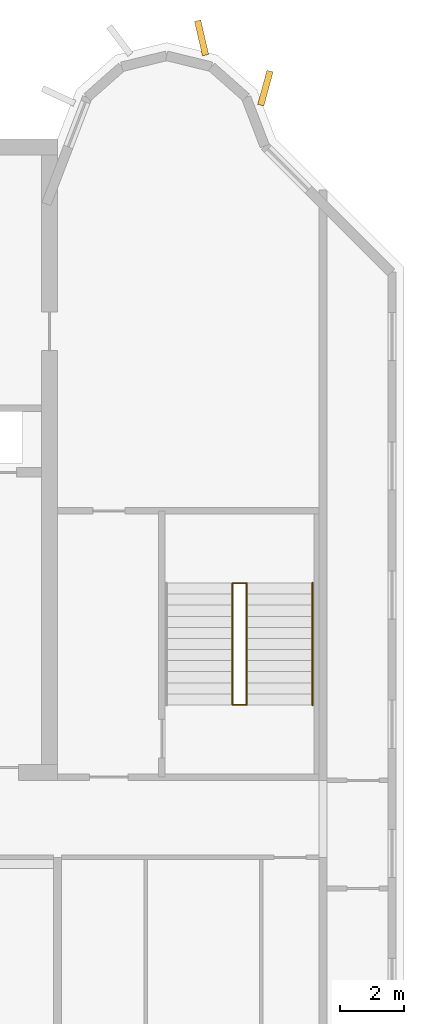
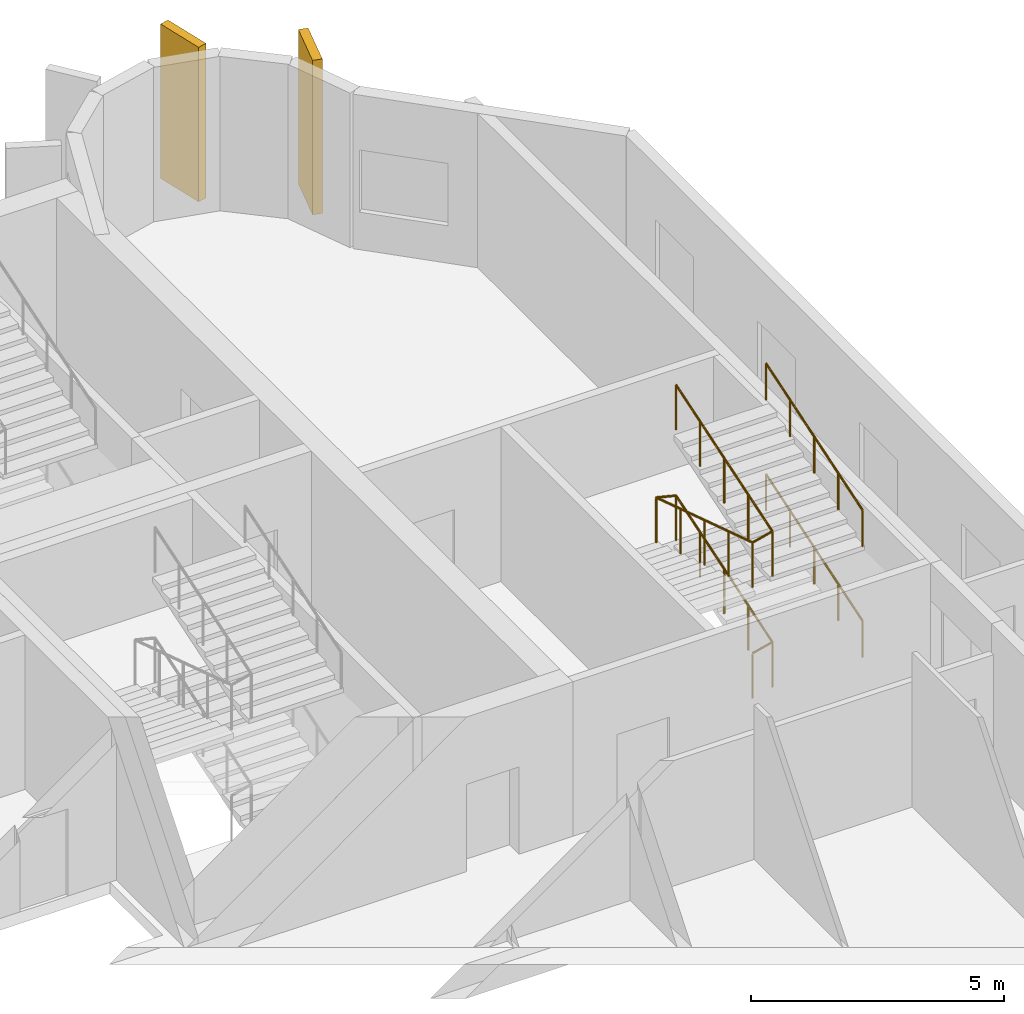
# One storey, part 11 of 12: 3 railings, 2 coverings.
"""IFC4 building model written with IfcOpenShell, lengths in metres."""

from ifc_helpers import new_model, si_unit, direction, frame, origin, origin_2d, place, context, subcontext, project, spatial, rectangle, circle, extrude, source, transform, mapped, material, material_profile, profile_set, type_object, element, save


model = new_model("IFC4")

# Units and contexts
model_context = context("Model", 3, precision=1e-05, world=origin(), true_north=direction((0.0, 1.0)))
body_context = subcontext(model_context, "Body", "Model", "MODEL_VIEW")
ifc_project = project(units=[si_unit("LENGTHUNIT", "METRE"), si_unit("AREAUNIT", "SQUARE_METRE"), si_unit("VOLUMEUNIT", "CUBIC_METRE"), si_unit("PLANEANGLEUNIT", "RADIAN"), si_unit("MASSUNIT", "GRAM", prefix="KILO")], contexts=[model_context])

# Site, building, storey
site_placement = place(None, origin())
site = spatial("IfcSite", under=ifc_project, at=site_placement, CompositionType="ELEMENT")
building_placement = place(site_placement, origin())
building = spatial("IfcBuilding", under=site, at=building_placement, Name="Vanashikhar Sky Hotel", CompositionType="ELEMENT")
storey_placement = place(building_placement, frame((0.0, 0.0, 281.699951171875)))
storey = spatial("IfcBuildingStorey", under=building, at=storey_placement, Name="L67", CompositionType="ELEMENT", Elevation=281.699951171875)

# Coverings
ifc_material_1 = material(Name="Concrete M60 dark", Category="concrete")
ifc_material_profile = material_profile(ifc_material_1, rectangle(XDim=1.10009765625, YDim=0.199951171875, at=origin_2d()))
ifc_profile_set = profile_set([ifc_material_profile], Name="Rear lobe fin 1100 x 200")
covering_type = type_object("IfcCoveringType", Name="Rear lobe fin 1100 x 200", PredefinedType="CLADDING", material=ifc_profile_set)
shared_shape_1 = source(origin(), body_context, "Body", "SweptSolid", [
    extrude(rectangle(XDim=1.10009765625, YDim=0.199951171875, at=origin_2d()), origin(), (0.0, 0.0, 1.0), 3.719970703125),
])
for number, where, z_axis, x_axis, name in (
    (1, (80.08984375, 45.1455078125, 0.0), (0.0, 0.0, 1.0), (-0.224644935864, 0.974440687159, 0.0), "Fin R2-3"),
    (2, (82.0791015625, 43.580078125, 0.0), (0.0, 0.0, 1.0), (0.262711264409, 0.964874495234, 0.0), "Fin R2-4"),
):
    element("IfcCovering", number, at=place(storey_placement, frame(where, z_axis=z_axis, x_axis=x_axis)), inside=storey, type_object=covering_type, Name=name, PredefinedType="CLADDING", context=body_context, shape_type="MappedRepresentation", body=[
        mapped(shared_shape_1, transform((0.0, 0.0, 0.0), scale=1.0)),
    ])

# Railings
ifc_material_2 = material(Name="Steel S355", Category="steel")
railing_type_1 = type_object("IfcRailingType", Name="Stair handrail 900", PredefinedType="HANDRAIL", material=ifc_material_2)
shared_shape_2 = source(origin(), body_context, "Body", "SweptSolid", [
    extrude(circle(Radius=0.02392578125, at=origin_2d()), frame((0.0, 0.0, 0.8759765625), z_axis=(0.0, 0.951969995293, 0.306191325908), x_axis=(-1.0, 0.0, 0.0)), (0.0, 0.0, 1.0), 3.991455078125),
    extrude(circle(Radius=0.02099609375, at=origin_2d()), origin(), (0.0, 0.0, 1.0), 0.851806640625),
    extrude(circle(Radius=0.02099609375, at=origin_2d()), frame((0.0, 0.949951171875, 0.3056640625)), (0.0, 0.0, 1.0), 0.851806640625),
    extrude(circle(Radius=0.02099609375, at=origin_2d()), frame((0.0, 1.89990234375, 0.611083984375)), (0.0, 0.0, 1.0), 0.851806640625),
    extrude(circle(Radius=0.02099609375, at=origin_2d()), frame((0.0, 2.849853515625, 0.91650390625)), (0.0, 0.0, 1.0), 0.851806640625),
    extrude(circle(Radius=0.02099609375, at=origin_2d()), frame((0.0, 3.7998046875, 1.22216796875)), (0.0, 0.0, 1.0), 0.851806640625),
])
railing_1_placement = place(storey_placement, frame((83.550048828125, 24.35009765625, 2.77783203125)))
element("IfcRailing", 3, at=railing_1_placement, inside=storey, type_object=railing_type_1, Name="Exit stair 4 handrail", PredefinedType="HANDRAIL", context=body_context, shape_type="MappedRepresentation", body=[
    mapped(shared_shape_2, transform((0.0, 0.0, 0.0), scale=1.0)),
])
railing_type_2 = type_object("IfcRailingType", Name="Stair guard 1100", PredefinedType="GUARDRAIL", material=ifc_material_2)
shared_shape_3 = source(origin(), body_context, "Body", "SweptSolid", [
    extrude(circle(Radius=0.02392578125, at=origin_2d()), frame((0.0, 0.0, 1.076171875), z_axis=(0.970851010584, 0.0, 0.239683781777), x_axis=(0.0, 1.0, 0.0)), (0.0, 0.0, 1.0), 0.46337890625),
    extrude(circle(Radius=0.02392578125, at=origin_2d()), frame((0.449951171875, 0.0, 1.18701171875), z_axis=(0.0, 0.951952165375, 0.306246754821), x_axis=(-1.0, 0.0, 0.0)), (0.0, 0.0, 1.0), 3.99169921875),
    extrude(circle(Radius=0.02392578125, at=origin_2d()), frame((0.449951171875, 3.7998046875, 2.40966796875), z_axis=(-0.970851010584, 0.0, 0.239683781777), x_axis=(0.0, -1.0, 0.0)), (0.0, 0.0, 1.0), 0.46337890625),
    extrude(circle(Radius=0.02392578125, at=origin_2d()), frame((0.0, 3.7998046875, 2.5205078125), z_axis=(0.0, -0.951969995293, 0.306191325908), x_axis=(1.0, 0.0, 0.0)), (0.0, 0.0, 1.0), 3.991455078125),
    extrude(circle(Radius=0.02392578125, at=origin_2d()), frame((0.0, 0.0, 3.74267578125), z_axis=(0.970851010584, 0.0, 0.239683781777), x_axis=(0.0, 1.0, 0.0)), (0.0, 0.0, 1.0), 0.46337890625),
    extrude(circle(Radius=0.02392578125, at=origin_2d()), frame((0.449951171875, 0.0, 3.85400390625), z_axis=(0.0, 0.951969995293, 0.306191325908), x_axis=(-1.0, 0.0, 0.0)), (0.0, 0.0, 1.0), 3.991455078125),
    extrude(circle(Radius=0.02099609375, at=origin_2d()), origin(), (0.0, 0.0, 1.0), 1.052001953125),
    extrude(circle(Radius=0.02099609375, at=origin_2d()), frame((0.449951171875, 0.0, 0.111083984375)), (0.0, 0.0, 1.0), 1.052001953125),
    extrude(circle(Radius=0.02099609375, at=origin_2d()), frame((0.449951171875, 0.949951171875, 0.416748046875)), (0.0, 0.0, 1.0), 1.052001953125),
    extrude(circle(Radius=0.02099609375, at=origin_2d()), frame((0.449951171875, 1.89990234375, 0.72216796875)), (0.0, 0.0, 1.0), 1.052001953125),
    extrude(circle(Radius=0.02099609375, at=origin_2d()), frame((0.449951171875, 2.849853515625, 1.02783203125)), (0.0, 0.0, 1.0), 1.052001953125),
    extrude(circle(Radius=0.02099609375, at=origin_2d()), frame((0.449951171875, 3.7998046875, 1.33349609375)), (0.0, 0.0, 1.0), 1.052001953125),
    extrude(circle(Radius=0.02099609375, at=origin_2d()), frame((0.0, 3.7998046875, 1.444580078125)), (0.0, 0.0, 1.0), 1.052001953125),
    extrude(circle(Radius=0.02099609375, at=origin_2d()), frame((0.0, 2.849853515625, 1.75)), (0.0, 0.0, 1.0), 1.052001953125),
    extrude(circle(Radius=0.02099609375, at=origin_2d()), frame((0.0, 1.89990234375, 2.0556640625)), (0.0, 0.0, 1.0), 1.052001953125),
    extrude(circle(Radius=0.02099609375, at=origin_2d()), frame((0.0, 0.949951171875, 2.361328125)), (0.0, 0.0, 1.0), 1.052001953125),
    extrude(circle(Radius=0.02099609375, at=origin_2d()), frame((0.0, 0.0, 2.666748046875)), (0.0, 0.0, 1.0), 1.052001953125),
    extrude(circle(Radius=0.02099609375, at=origin_2d()), frame((0.449951171875, 0.0, 2.77783203125)), (0.0, 0.0, 1.0), 1.052001953125),
    extrude(circle(Radius=0.02099609375, at=origin_2d()), frame((0.449951171875, 0.949951171875, 3.08349609375)), (0.0, 0.0, 1.0), 1.052001953125),
    extrude(circle(Radius=0.02099609375, at=origin_2d()), frame((0.449951171875, 1.89990234375, 3.388916015625)), (0.0, 0.0, 1.0), 1.052001953125),
    extrude(circle(Radius=0.02099609375, at=origin_2d()), frame((0.449951171875, 2.849853515625, 3.6943359375)), (0.0, 0.0, 1.0), 1.052001953125),
    extrude(circle(Radius=0.02099609375, at=origin_2d()), frame((0.449951171875, 3.7998046875, 4.0)), (0.0, 0.0, 1.0), 1.052001953125),
])
railing_2_placement = place(storey_placement, frame((81.050048828125, 24.35009765625, 0.0)))
element("IfcRailing", 4, at=railing_2_placement, inside=storey, type_object=railing_type_2, Name="Exit stair 4 guard", PredefinedType="GUARDRAIL", context=body_context, shape_type="MappedRepresentation", body=[
    mapped(shared_shape_3, transform((0.0, 0.0, 0.0), scale=1.0)),
])
shared_shape_4 = source(origin(), body_context, "Body", "SweptSolid", [
    extrude(circle(Radius=0.02392578125, at=origin_2d()), frame((0.0, 0.0, 0.8759765625), z_axis=(0.0, 0.951952165375, 0.306246754821), x_axis=(-1.0, 0.0, 0.0)), (0.0, 0.0, 1.0), 3.99169921875),
    extrude(circle(Radius=0.02099609375, at=origin_2d()), origin(), (0.0, 0.0, 1.0), 0.851806640625),
    extrude(circle(Radius=0.02099609375, at=origin_2d()), frame((0.0, 0.949951171875, 0.3056640625)), (0.0, 0.0, 1.0), 0.851806640625),
    extrude(circle(Radius=0.02099609375, at=origin_2d()), frame((0.0, 1.89990234375, 0.611328125)), (0.0, 0.0, 1.0), 0.851806640625),
    extrude(circle(Radius=0.02099609375, at=origin_2d()), frame((0.0, 2.849853515625, 0.916748046875)), (0.0, 0.0, 1.0), 0.851806640625),
    extrude(circle(Radius=0.02099609375, at=origin_2d()), frame((0.0, 3.7998046875, 1.222412109375)), (0.0, 0.0, 1.0), 0.851806640625),
])
railing_3_placement = place(storey_placement, frame((83.550048828125, 24.35009765625, 0.111083984375)))
element("IfcRailing", 5, at=railing_3_placement, inside=storey, type_object=railing_type_1, Name="Exit stair 4 handrail", PredefinedType="HANDRAIL", context=body_context, shape_type="MappedRepresentation", body=[
    mapped(shared_shape_4, transform((0.0, 0.0, 0.0), scale=1.0)),
])

save(model, "model.ifc")
